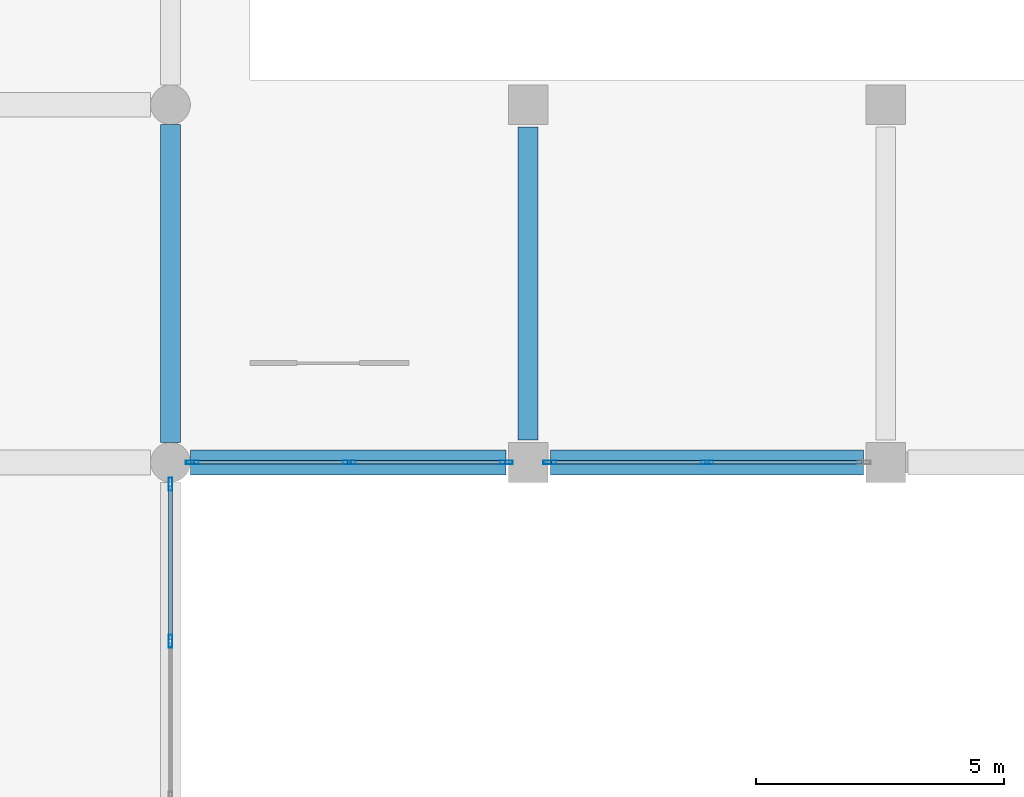
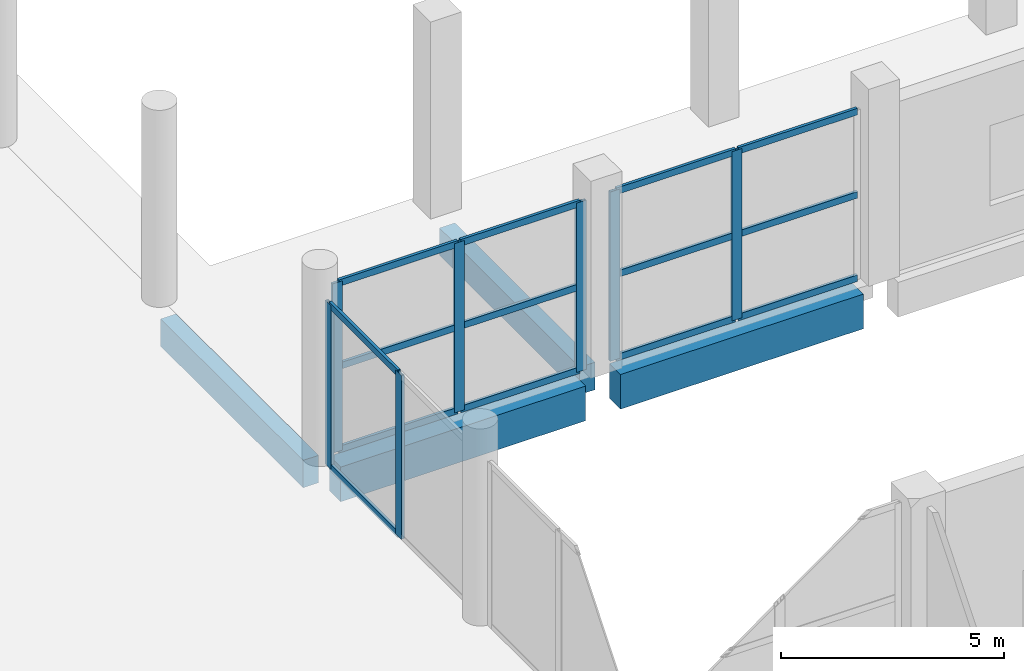
# One storey, part 28 of 70: 21 members, 4 beams, 3 elements without a shape of their own.
"""IFC4 building model written with IfcOpenShell, lengths in metres."""

from ifc_helpers import new_model, si_unit, direction, frame, origin, origin_2d, place, context, subcontext, project, spatial, rectangle, hollow_rectangle, extrude, material, material_profile, profile_set, type_object, element, aggregate, save


model = new_model("IFC4")

# Units and contexts
model_context = context("Model", 3, precision=1e-05, world=origin(), true_north=direction((0.0, 1.0)))
body_context = subcontext(model_context, "Body", "Model", "MODEL_VIEW")
ifc_project = project(units=[si_unit("LENGTHUNIT", "METRE"), si_unit("AREAUNIT", "SQUARE_METRE"), si_unit("VOLUMEUNIT", "CUBIC_METRE"), si_unit("PLANEANGLEUNIT", "RADIAN"), si_unit("MASSUNIT", "GRAM", prefix="KILO")], contexts=[model_context])

# Site, building, storey
site_placement = place(None, origin())
site = spatial("IfcSite", under=ifc_project, at=site_placement, CompositionType="ELEMENT")
building_placement = place(site_placement, origin())
building = spatial("IfcBuilding", under=site, at=building_placement, Name="Vesperath Aquatics Centre", CompositionType="ELEMENT")
storey_placement = place(building_placement, origin())
storey = spatial("IfcBuildingStorey", under=building, at=storey_placement, Name="L00", CompositionType="ELEMENT", Elevation=0.0)

# Beams
ifc_material_1 = material(Name="Concrete C40", Category="concrete")
ifc_material_profile_1 = material_profile(ifc_material_1, rectangle(XDim=0.5, YDim=0.949951171875, at=origin_2d()), Name="RC 500x950")
ifc_profile_set_1 = profile_set([ifc_material_profile_1], Name="Concrete C40")
beam_type_1 = type_object("IfcBeamType", Name="BM-G02", PredefinedType="BEAM", material=ifc_profile_set_1)
beam_1_placement = place(storey_placement, frame((115.60009765625, 64.800048828125, -0.7548828125), z_axis=(1.0, 0.0, 0.0), x_axis=(0.0, 1.0, 0.0)))
element("IfcBeam", 1, at=beam_1_placement, inside=storey, type_object=beam_type_1, Name="Floor Girder B02 L00 K 17-18", PredefinedType="BEAM", context=body_context, shape_type="SweptSolid", body=[
    extrude(rectangle(XDim=0.5, YDim=0.949951171875, at=origin_2d()), origin(), (0.0, 0.0, 1.0), 6.349853515625),
])
beam_2_placement = place(storey_placement, frame((122.85009765625, 64.800048828125, -0.7548828125), z_axis=(1.0, 0.0, 0.0), x_axis=(0.0, 1.0, 0.0)))
element("IfcBeam", 2, at=beam_2_placement, inside=storey, type_object=beam_type_1, Name="Floor Girder B02 L00 K 18-19", PredefinedType="BEAM", context=body_context, shape_type="SweptSolid", body=[
    extrude(rectangle(XDim=0.5, YDim=0.949951171875, at=origin_2d()), origin(), (0.0, 0.0, 1.0), 6.2998046875),
])
ifc_material_2 = material(Name="Concrete C35", Category="concrete")
ifc_material_profile_2 = material_profile(ifc_material_2, rectangle(XDim=0.39990234375, YDim=0.75, at=origin_2d()), Name="RC 400x750")
ifc_profile_set_2 = profile_set([ifc_material_profile_2], Name="Concrete C35")
beam_type_2 = type_object("IfcBeamType", Name="BM-G04", PredefinedType="BEAM", material=ifc_profile_set_2)
beam_3_placement = place(storey_placement, frame((115.199951171875, 65.199951171875, -0.655029296875), z_axis=(0.0, 1.0, 0.0), x_axis=(-1.0, 0.0, 0.0)))
element("IfcBeam", 3, at=beam_3_placement, inside=storey, type_object=beam_type_2, Name="Floor Girder B04 L00 17 K-L", PredefinedType="BEAM", context=body_context, shape_type="SweptSolid", body=[
    extrude(rectangle(XDim=0.39990234375, YDim=0.75, at=origin_2d()), origin(), (0.0, 0.0, 1.0), 6.400146484375),
])
beam_4_placement = place(storey_placement, frame((122.39990234375, 65.25, -0.655029296875), z_axis=(0.0, 1.0, 0.0), x_axis=(-1.0, 0.0, 0.0)))
element("IfcBeam", 4, at=beam_4_placement, inside=storey, type_object=beam_type_2, Name="Floor Girder B04 L00 18 K-L", PredefinedType="BEAM", context=body_context, shape_type="SweptSolid", body=[
    extrude(rectangle(XDim=0.39990234375, YDim=0.75, at=origin_2d()), origin(), (0.0, 0.0, 1.0), 6.300048828125),
])

# Curtain wall, members
ifc_material_3 = material(Name="Thermally broken anodised bronze aluminium curtain wall", Category="aluminium")
curtain_wall_type = type_object("IfcCurtainWallType", Name="CW-01", PredefinedType="NOTDEFINED", material=ifc_material_3)
curtain_wall_1_placement = place(storey_placement, origin())
curtain_wall_1 = element("IfcCurtainWall", 5, at=curtain_wall_1_placement, inside=storey, type_object=curtain_wall_type, Name="Facade Curtain Wall CW01 L00_S_16_09", PredefinedType="NOTDEFINED")
ifc_material_4 = material(Name="Thermally broken anodised aluminium", Category="aluminium")
ifc_material_profile_3 = material_profile(ifc_material_4, hollow_rectangle(XDim=0.074951171875, YDim=0.260009765625, WallThickness=0.006103515625, at=origin_2d()), Name="CWM 75x260x6")
ifc_profile_set_3 = profile_set([ifc_material_profile_3], Name="Thermally broken anodised aluminium")
member_type_1 = type_object("IfcMemberType", Name="MB-CWM1", PredefinedType="MULLION", material=ifc_profile_set_3)
member_1_placement = place(storey_placement, frame((115.637451171875, 64.800048828125, 0.0), z_axis=(0.0, 0.0, 1.0), x_axis=(0.0, 1.0, 0.0)))
member_1 = element("IfcMember", 6, at=member_1_placement, type_object=member_type_1, Name="CW01 mullion 1", PredefinedType="MULLION", context=body_context, shape_type="SweptSolid", body=[
    extrude(hollow_rectangle(XDim=0.074951171875, YDim=0.260009765625, WallThickness=0.006103515625, at=origin_2d()), origin(), (0.0, 0.0, 1.0), 4.639892578125),
])
member_2_placement = place(storey_placement, frame((118.800048828125, 64.800048828125, 0.0), z_axis=(0.0, 0.0, 1.0), x_axis=(0.0, 1.0, 0.0)))
member_2 = element("IfcMember", 7, at=member_2_placement, type_object=member_type_1, Name="CW01 mullion 2", PredefinedType="MULLION", context=body_context, shape_type="SweptSolid", body=[
    extrude(hollow_rectangle(XDim=0.074951171875, YDim=0.260009765625, WallThickness=0.006103515625, at=origin_2d()), origin(), (0.0, 0.0, 1.0), 4.639892578125),
])
member_3_placement = place(storey_placement, frame((121.96240234375, 64.800048828125, 0.0), z_axis=(0.0, 0.0, 1.0), x_axis=(0.0, 1.0, 0.0)))
member_3 = element("IfcMember", 8, at=member_3_placement, type_object=member_type_1, Name="CW01 mullion 3", PredefinedType="MULLION", context=body_context, shape_type="SweptSolid", body=[
    extrude(hollow_rectangle(XDim=0.074951171875, YDim=0.260009765625, WallThickness=0.006103515625, at=origin_2d()), origin(), (0.0, 0.0, 1.0), 4.639892578125),
])

curtain_wall_2_placement = place(storey_placement, origin())
curtain_wall_2 = element("IfcCurtainWall", 9, at=curtain_wall_2_placement, inside=storey, type_object=curtain_wall_type, Name="Facade Curtain Wall CW01 L00_S_17_09", PredefinedType="NOTDEFINED")
member_4_placement = place(storey_placement, frame((122.83740234375, 64.800048828125, 0.0), z_axis=(0.0, 0.0, 1.0), x_axis=(0.0, 1.0, 0.0)))
member_4 = element("IfcMember", 10, at=member_4_placement, type_object=member_type_1, Name="CW01 mullion 1", PredefinedType="MULLION", context=body_context, shape_type="SweptSolid", body=[
    extrude(hollow_rectangle(XDim=0.074951171875, YDim=0.260009765625, WallThickness=0.006103515625, at=origin_2d()), origin(), (0.0, 0.0, 1.0), 4.639892578125),
])
member_5_placement = place(storey_placement, frame((126.0, 64.800048828125, 0.0), z_axis=(0.0, 0.0, 1.0), x_axis=(0.0, 1.0, 0.0)))
member_5 = element("IfcMember", 11, at=member_5_placement, type_object=member_type_1, Name="CW01 mullion 2", PredefinedType="MULLION", context=body_context, shape_type="SweptSolid", body=[
    extrude(hollow_rectangle(XDim=0.074951171875, YDim=0.260009765625, WallThickness=0.006103515625, at=origin_2d()), origin(), (0.0, 0.0, 1.0), 4.639892578125),
])

curtain_wall_3_placement = place(storey_placement, origin())
curtain_wall_3 = element("IfcCurtainWall", 12, at=curtain_wall_3_placement, inside=storey, type_object=curtain_wall_type, Name="Facade Curtain Wall CW01 L00_E_16_08", PredefinedType="NOTDEFINED")
member_6_placement = place(storey_placement, frame((115.199951171875, 61.199951171875, 0.0), z_axis=(0.0, 0.0, 1.0), x_axis=(-1.0, 0.0, 0.0)))
member_6 = element("IfcMember", 13, at=member_6_placement, type_object=member_type_1, Name="CW01 mullion 2", PredefinedType="MULLION", context=body_context, shape_type="SweptSolid", body=[
    extrude(hollow_rectangle(XDim=0.074951171875, YDim=0.260009765625, WallThickness=0.006103515625, at=origin_2d()), origin(), (0.0, 0.0, 1.0), 4.489990234375),
])
member_7_placement = place(storey_placement, frame((115.199951171875, 64.362548828125, 0.0), z_axis=(0.0, 0.0, 1.0), x_axis=(-1.0, 0.0, 0.0)))
member_7 = element("IfcMember", 14, at=member_7_placement, type_object=member_type_1, Name="CW01 mullion 3", PredefinedType="MULLION", context=body_context, shape_type="SweptSolid", body=[
    extrude(hollow_rectangle(XDim=0.074951171875, YDim=0.260009765625, WallThickness=0.006103515625, at=origin_2d()), origin(), (0.0, 0.0, 1.0), 4.489990234375),
])

# Member
ifc_material_profile_4 = material_profile(ifc_material_4, hollow_rectangle(XDim=0.074951171875, YDim=0.179931640625, WallThickness=0.0048828125, at=origin_2d()), Name="CWT 75x180x5")
ifc_profile_set_4 = profile_set([ifc_material_profile_4], Name="Thermally broken anodised aluminium")
member_type_2 = type_object("IfcMemberType", Name="MB-CWT1", PredefinedType="USERDEFINED", material=ifc_profile_set_4)
member_8_placement = place(storey_placement, frame((115.675048828125, 64.800048828125, 0.03759765625), z_axis=(1.0, 0.0, 0.0), x_axis=(0.0, 1.0, 0.0)))
member_8 = element("IfcMember", 15, at=member_8_placement, type_object=member_type_2, Name="CW01 transom 1.1", ObjectType="TRANSOM", PredefinedType="USERDEFINED", context=body_context, shape_type="SweptSolid", body=[
    extrude(hollow_rectangle(XDim=0.074951171875, YDim=0.179931640625, WallThickness=0.0048828125, at=origin_2d()), origin(), (0.0, 0.0, 1.0), 3.08740234375),
])

member_9_placement = place(storey_placement, frame((115.675048828125, 64.800048828125, 2.320068359375), z_axis=(1.0, 0.0, 0.0), x_axis=(0.0, 1.0, 0.0)))
member_9 = element("IfcMember", 16, at=member_9_placement, type_object=member_type_2, Name="CW01 transom 1.2", ObjectType="TRANSOM", PredefinedType="USERDEFINED", context=body_context, shape_type="SweptSolid", body=[
    extrude(hollow_rectangle(XDim=0.074951171875, YDim=0.179931640625, WallThickness=0.0048828125, at=origin_2d()), origin(), (0.0, 0.0, 1.0), 3.08740234375),
])

member_10_placement = place(storey_placement, frame((115.675048828125, 64.800048828125, 4.6025390625), z_axis=(1.0, 0.0, 0.0), x_axis=(0.0, 1.0, 0.0)))
member_10 = element("IfcMember", 17, at=member_10_placement, type_object=member_type_2, Name="CW01 transom 1.3", ObjectType="TRANSOM", PredefinedType="USERDEFINED", context=body_context, shape_type="SweptSolid", body=[
    extrude(hollow_rectangle(XDim=0.074951171875, YDim=0.179931640625, WallThickness=0.0048828125, at=origin_2d()), origin(), (0.0, 0.0, 1.0), 3.08740234375),
])

member_11_placement = place(storey_placement, frame((118.83740234375, 64.800048828125, 0.03759765625), z_axis=(1.0, 0.0, 0.0), x_axis=(0.0, 1.0, 0.0)))
member_11 = element("IfcMember", 18, at=member_11_placement, type_object=member_type_2, Name="CW01 transom 2.1", ObjectType="TRANSOM", PredefinedType="USERDEFINED", context=body_context, shape_type="SweptSolid", body=[
    extrude(hollow_rectangle(XDim=0.074951171875, YDim=0.179931640625, WallThickness=0.0048828125, at=origin_2d()), origin(), (0.0, 0.0, 1.0), 3.087646484375),
])

member_12_placement = place(storey_placement, frame((118.83740234375, 64.800048828125, 2.320068359375), z_axis=(1.0, 0.0, 0.0), x_axis=(0.0, 1.0, 0.0)))
member_12 = element("IfcMember", 19, at=member_12_placement, type_object=member_type_2, Name="CW01 transom 2.2", ObjectType="TRANSOM", PredefinedType="USERDEFINED", context=body_context, shape_type="SweptSolid", body=[
    extrude(hollow_rectangle(XDim=0.074951171875, YDim=0.179931640625, WallThickness=0.0048828125, at=origin_2d()), origin(), (0.0, 0.0, 1.0), 3.087646484375),
])

member_13_placement = place(storey_placement, frame((118.83740234375, 64.800048828125, 4.6025390625), z_axis=(1.0, 0.0, 0.0), x_axis=(0.0, 1.0, 0.0)))
member_13 = element("IfcMember", 20, at=member_13_placement, type_object=member_type_2, Name="CW01 transom 2.3", ObjectType="TRANSOM", PredefinedType="USERDEFINED", context=body_context, shape_type="SweptSolid", body=[
    extrude(hollow_rectangle(XDim=0.074951171875, YDim=0.179931640625, WallThickness=0.0048828125, at=origin_2d()), origin(), (0.0, 0.0, 1.0), 3.087646484375),
])

aggregate(curtain_wall_1, [member_1, member_2, member_3, member_8, member_9, member_10, member_11, member_12, member_13])

member_14_placement = place(storey_placement, frame((122.875, 64.800048828125, 0.03759765625), z_axis=(1.0, 0.0, 0.0), x_axis=(0.0, 1.0, 0.0)))
member_14 = element("IfcMember", 21, at=member_14_placement, type_object=member_type_2, Name="CW01 transom 1.1", ObjectType="TRANSOM", PredefinedType="USERDEFINED", context=body_context, shape_type="SweptSolid", body=[
    extrude(hollow_rectangle(XDim=0.074951171875, YDim=0.179931640625, WallThickness=0.0048828125, at=origin_2d()), origin(), (0.0, 0.0, 1.0), 3.08740234375),
])

member_15_placement = place(storey_placement, frame((122.875, 64.800048828125, 2.320068359375), z_axis=(1.0, 0.0, 0.0), x_axis=(0.0, 1.0, 0.0)))
member_15 = element("IfcMember", 22, at=member_15_placement, type_object=member_type_2, Name="CW01 transom 1.2", ObjectType="TRANSOM", PredefinedType="USERDEFINED", context=body_context, shape_type="SweptSolid", body=[
    extrude(hollow_rectangle(XDim=0.074951171875, YDim=0.179931640625, WallThickness=0.0048828125, at=origin_2d()), origin(), (0.0, 0.0, 1.0), 3.08740234375),
])

member_16_placement = place(storey_placement, frame((122.875, 64.800048828125, 4.6025390625), z_axis=(1.0, 0.0, 0.0), x_axis=(0.0, 1.0, 0.0)))
member_16 = element("IfcMember", 23, at=member_16_placement, type_object=member_type_2, Name="CW01 transom 1.3", ObjectType="TRANSOM", PredefinedType="USERDEFINED", context=body_context, shape_type="SweptSolid", body=[
    extrude(hollow_rectangle(XDim=0.074951171875, YDim=0.179931640625, WallThickness=0.0048828125, at=origin_2d()), origin(), (0.0, 0.0, 1.0), 3.08740234375),
])

member_17_placement = place(storey_placement, frame((126.03759765625, 64.800048828125, 0.03759765625), z_axis=(1.0, 0.0, 0.0), x_axis=(0.0, 1.0, 0.0)))
member_17 = element("IfcMember", 24, at=member_17_placement, type_object=member_type_2, Name="CW01 transom 2.1", ObjectType="TRANSOM", PredefinedType="USERDEFINED", context=body_context, shape_type="SweptSolid", body=[
    extrude(hollow_rectangle(XDim=0.074951171875, YDim=0.179931640625, WallThickness=0.0048828125, at=origin_2d()), origin(), (0.0, 0.0, 1.0), 3.08740234375),
])

member_18_placement = place(storey_placement, frame((126.03759765625, 64.800048828125, 2.320068359375), z_axis=(1.0, 0.0, 0.0), x_axis=(0.0, 1.0, 0.0)))
member_18 = element("IfcMember", 25, at=member_18_placement, type_object=member_type_2, Name="CW01 transom 2.2", ObjectType="TRANSOM", PredefinedType="USERDEFINED", context=body_context, shape_type="SweptSolid", body=[
    extrude(hollow_rectangle(XDim=0.074951171875, YDim=0.179931640625, WallThickness=0.0048828125, at=origin_2d()), origin(), (0.0, 0.0, 1.0), 3.08740234375),
])

member_19_placement = place(storey_placement, frame((126.03759765625, 64.800048828125, 4.6025390625), z_axis=(1.0, 0.0, 0.0), x_axis=(0.0, 1.0, 0.0)))
member_19 = element("IfcMember", 26, at=member_19_placement, type_object=member_type_2, Name="CW01 transom 2.3", ObjectType="TRANSOM", PredefinedType="USERDEFINED", context=body_context, shape_type="SweptSolid", body=[
    extrude(hollow_rectangle(XDim=0.074951171875, YDim=0.179931640625, WallThickness=0.0048828125, at=origin_2d()), origin(), (0.0, 0.0, 1.0), 3.08740234375),
])

aggregate(curtain_wall_2, [member_4, member_5, member_14, member_15, member_16, member_17, member_18, member_19])

member_20_placement = place(storey_placement, frame((115.199951171875, 61.237548828125, 0.03759765625), z_axis=(0.0, 1.0, 0.0), x_axis=(-1.0, 0.0, 0.0)))
member_20 = element("IfcMember", 27, at=member_20_placement, type_object=member_type_2, Name="CW01 transom 2.1", ObjectType="TRANSOM", PredefinedType="USERDEFINED", context=body_context, shape_type="SweptSolid", body=[
    extrude(hollow_rectangle(XDim=0.074951171875, YDim=0.179931640625, WallThickness=0.0048828125, at=origin_2d()), origin(), (0.0, 0.0, 1.0), 3.08740234375),
])

member_21_placement = place(storey_placement, frame((115.199951171875, 61.237548828125, 4.452392578125), z_axis=(0.0, 1.0, 0.0), x_axis=(-1.0, 0.0, 0.0)))
member_21 = element("IfcMember", 28, at=member_21_placement, type_object=member_type_2, Name="CW01 transom 2.2", ObjectType="TRANSOM", PredefinedType="USERDEFINED", context=body_context, shape_type="SweptSolid", body=[
    extrude(hollow_rectangle(XDim=0.074951171875, YDim=0.179931640625, WallThickness=0.0048828125, at=origin_2d()), origin(), (0.0, 0.0, 1.0), 3.08740234375),
])

aggregate(curtain_wall_3, [member_6, member_7, member_20, member_21])

save(model, "model.ifc")
